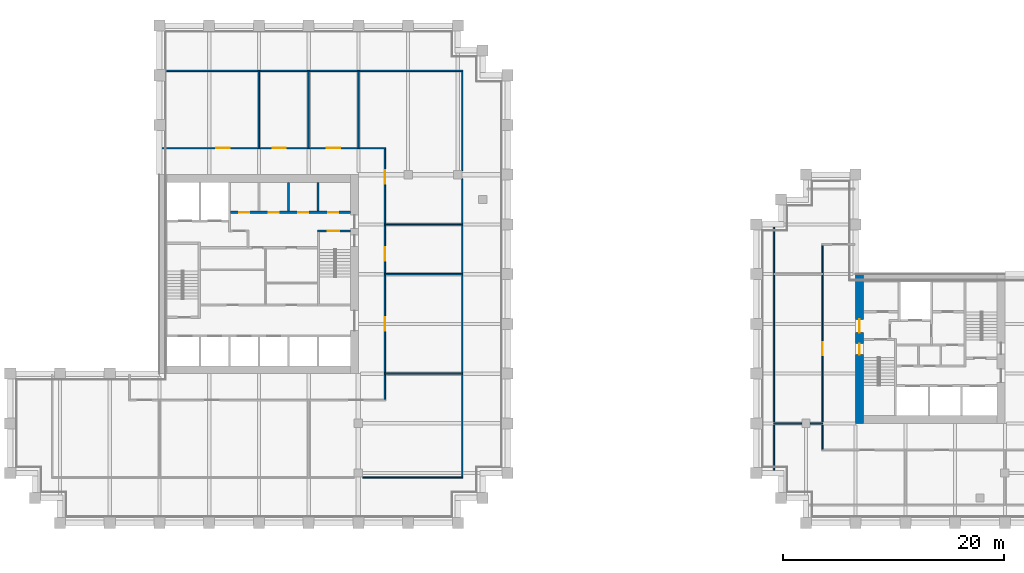
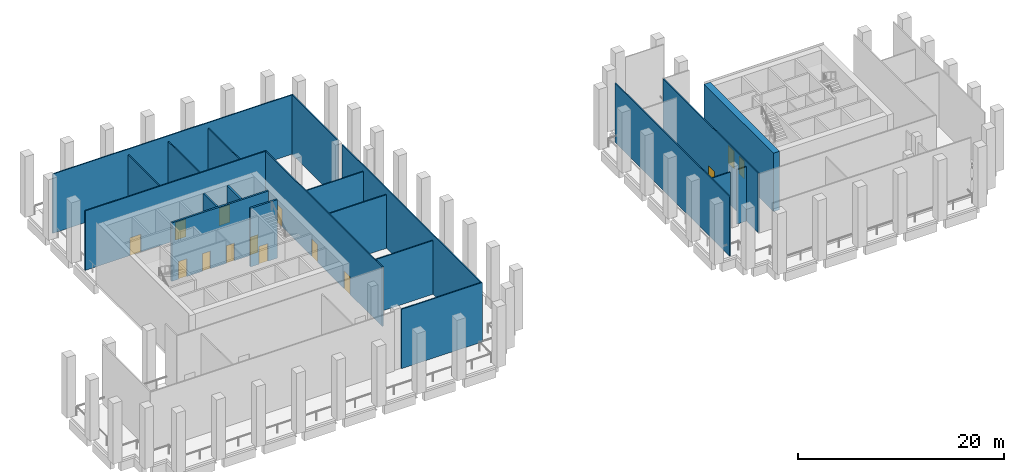
# One storey, part 4 of 9: 21 walls, 14 doors, 14 openings.
"""IFC4 building model written with IfcOpenShell, lengths in metres."""

from ifc_helpers import new_model, si_unit, direction, frame, frame_2d, origin, place, context, subcontext, project, spatial, rectangle, extrude, material, layer, layer_set, type_object, element, fill, save


model = new_model("IFC4")

# Units and contexts
model_context = context("Model", 3, precision=1e-05, world=origin(), true_north=direction((0.0, 1.0)))
body_context = subcontext(model_context, "Body", "Model", "MODEL_VIEW")
ifc_project = project(units=[si_unit("LENGTHUNIT", "METRE"), si_unit("AREAUNIT", "SQUARE_METRE"), si_unit("VOLUMEUNIT", "CUBIC_METRE"), si_unit("PLANEANGLEUNIT", "RADIAN"), si_unit("MASSUNIT", "GRAM", prefix="KILO")], contexts=[model_context])

# Site, building, storey
site_placement = place(None, origin())
site = spatial("IfcSite", under=ifc_project, at=site_placement, CompositionType="ELEMENT")
building_placement = place(site_placement, origin())
building = spatial("IfcBuilding", under=site, at=building_placement, Name="Altepetl Exchange Towers", CompositionType="ELEMENT")
storey_placement = place(building_placement, frame((0.0, 0.0, 113.60009765625)))
storey = spatial("IfcBuildingStorey", under=building, at=storey_placement, Name="L28 Wind floor plant", CompositionType="ELEMENT", Elevation=113.60009765625)

# Wall, openings, doors
ifc_material_1 = material(Name="Concrete C70/85", Category="concrete")
ifc_layer_1 = layer(ifc_material_1, 0.699951171875)
ifc_layer_set_1 = layer_set([ifc_layer_1], Name="Concrete C70/85")
wall_type_1 = type_object("IfcWallType", Name="Core wall 700 reinforced concrete", PredefinedType="SHEAR", material=ifc_layer_set_1)
wall_1_placement = place(storey_placement, frame((103.85009765625, 36.0, 0.0), z_axis=(0.0, 0.0, 1.0), x_axis=(0.0, 1.0, 0.0)))
wall_1 = element("IfcWall", 1, at=wall_1_placement, inside=storey, type_object=wall_type_1, Name="wall:B:L28:K-coreW", PredefinedType="SHEAR", context=body_context, shape_type="SweptSolid", body=[
    extrude(rectangle(XDim=13.5, YDim=0.699951171875, at=frame_2d((6.75, 0.0))), origin(), (0.0, 0.0, 1.0), 6.949951171875),
])
opening_1_placement = place(wall_1_placement, frame((8.199951171875, 0.0, 0.0)))
opening_1 = element("IfcOpeningElement", 2, at=opening_1_placement, cuts=wall_1, Name="Opening L28.B60", PredefinedType="OPENING", context=body_context, shape_type="SweptSolid", body=[
    extrude(rectangle(XDim=1.199951171875, YDim=2.10009765625, at=frame_2d((0.60009765625, 1.050048828125))), frame((0.0, 0.35986328125, 0.0), z_axis=(0.0, -1.0, 0.0), x_axis=(1.0, 0.0, 0.0)), (0.0, 0.0, 1.0), 0.719970703125),
])
opening_2_placement = place(wall_1_placement, frame((6.22509765625, 0.0, 0.0)))
opening_2 = element("IfcOpeningElement", 3, at=opening_2_placement, cuts=wall_1, Name="Opening L28.B63", PredefinedType="OPENING", context=body_context, shape_type="SweptSolid", body=[
    extrude(rectangle(XDim=1.0, YDim=2.10009765625, at=frame_2d((0.5, 1.050048828125))), frame((0.0, 0.35986328125, 0.0), z_axis=(0.0, -1.0, 0.0), x_axis=(1.0, 0.0, 0.0)), (0.0, 0.0, 1.0), 0.719970703125),
])
ifc_material_2 = material(Name="Steel and timber fire door", Category="steel")
door_type_1 = type_object("IfcDoorType", Name="Fire door 1000 x 2100 stair and lobby", OperationType="SINGLE_SWING_LEFT", PredefinedType="DOOR", material=ifc_material_2)
door_1_placement = place(opening_2_placement, frame((1.0, 0.0, 0.0), x_axis=(-1.0, 0.0, 0.0)))
door_1 = element("IfcDoor", 4, at=door_1_placement, inside=storey, type_object=door_type_1, Name="door:B:L28:K-dS1x", OperationType="SINGLE_SWING_RIGHT", OverallHeight=2.10009765625, OverallWidth=1.0, PredefinedType="DOOR", context=body_context, shape_type="SweptSolid", body=[
    extrude(rectangle(XDim=1.0, YDim=2.10009765625, at=frame_2d((0.5, 1.050048828125))), frame((0.0, 0.02490234375, 0.0), z_axis=(0.0, -1.0, 0.0), x_axis=(1.0, 0.0, 0.0)), (0.0, 0.0, 1.0), 0.050048828125),
])
fill(opening_2, door_1)
door_type_2 = type_object("IfcDoorType", Name="Fire door 1200 x 2100 lobby entry", OperationType="SINGLE_SWING_LEFT", PredefinedType="DOOR", material=ifc_material_2)
door_2_placement = place(opening_1_placement, frame((1.199951171875, 0.0, 0.0), x_axis=(-1.0, 0.0, 0.0)))
door_2 = element("IfcDoor", 5, at=door_2_placement, inside=storey, type_object=door_type_2, Name="door:B:L28:K-dLNW", OperationType="SINGLE_SWING_RIGHT", OverallHeight=2.10009765625, OverallWidth=1.199951171875, PredefinedType="DOOR", context=body_context, shape_type="SweptSolid", body=[
    extrude(rectangle(XDim=1.199951171875, YDim=2.10009765625, at=frame_2d((0.60009765625, 1.050048828125))), frame((0.0, 0.02490234375, 0.0), z_axis=(0.0, -1.0, 0.0), x_axis=(1.0, 0.0, 0.0)), (0.0, 0.0, 1.0), 0.050048828125),
])
fill(opening_1, door_2)

# Walls
ifc_material_3 = material(Name="Gypsum board on steel studs", Category="steel")
ifc_layer_2 = layer(ifc_material_3, 0.125)
ifc_layer_set_2 = layer_set([ifc_layer_2], Name="Gypsum board on steel studs")
wall_type_2 = type_object("IfcWallType", Name="Partition 125 gypsum board on steel studs", PredefinedType="PARTITIONING", material=ifc_layer_set_2)
wall_2_placement = place(storey_placement, frame((58.875, 31.10009765625, 0.0)))
element("IfcWall", 6, at=wall_2_placement, inside=storey, type_object=wall_type_2, Name="wall:A:L28:P02", PredefinedType="PARTITIONING", context=body_context, shape_type="SweptSolid", body=[
    extrude(rectangle(XDim=9.08740234375, YDim=0.125, at=frame_2d((4.543701171875, 0.0))), origin(), (0.0, 0.0, 1.0), 7.0498046875),
])
for number, where, name in (
    (7, (60.89990234375, 40.5, 0.0), "wall:A:L28:P04"),
    (8, (60.89990234375, 49.5, 0.0), "wall:A:L28:P05"),
    (9, (60.89990234375, 54.0, 0.0), "wall:A:L28:P06"),
):
    element("IfcWall", number, at=place(storey_placement, frame(where)), inside=storey, type_object=wall_type_2, Name=name, PredefinedType="PARTITIONING", context=body_context, shape_type="SweptSolid", body=[
        extrude(rectangle(XDim=7.0, YDim=0.125, at=frame_2d((3.5, 0.0))), origin(), (0.0, 0.0, 1.0), 6.365966796875),
    ])

# Wall, openings, doors
wall_3_placement = place(storey_placement, frame((40.60009765625, 60.89990234375, 0.0)))
wall_3 = element("IfcWall", 10, at=wall_3_placement, inside=storey, type_object=wall_type_2, Name="wall:A:L28:P07", PredefinedType="PARTITIONING", context=body_context, shape_type="SweptSolid", body=[
    extrude(rectangle(XDim=20.3623046875, YDim=0.125, at=frame_2d((10.18115234375, 0.0))), origin(), (0.0, 0.0, 1.0), 7.0498046875),
])
opening_3_placement = place(wall_3_placement, frame((15.050048828125, 0.0, 0.0)))
opening_3 = element("IfcOpeningElement", 11, at=opening_3_placement, cuts=wall_3, Name="Opening L28.A07", PredefinedType="OPENING", context=body_context, shape_type="SweptSolid", body=[
    extrude(rectangle(XDim=1.199951171875, YDim=2.10009765625, at=frame_2d((0.60009765625, 1.050048828125))), frame((0.0, 0.072509765625, 0.0), z_axis=(0.0, -1.0, 0.0), x_axis=(1.0, 0.0, 0.0)), (0.0, 0.0, 1.0), 0.14501953125),
])
opening_4_placement = place(wall_3_placement, frame((10.1298828125, 0.0, 0.0)))
opening_4 = element("IfcOpeningElement", 12, at=opening_4_placement, cuts=wall_3, Name="Opening L28.A08", PredefinedType="OPENING", context=body_context, shape_type="SweptSolid", body=[
    extrude(rectangle(XDim=1.199951171875, YDim=2.10009765625, at=frame_2d((0.60009765625, 1.050048828125))), frame((0.0, 0.072509765625, 0.0), z_axis=(0.0, -1.0, 0.0), x_axis=(1.0, 0.0, 0.0)), (0.0, 0.0, 1.0), 0.14501953125),
])
opening_5_placement = place(wall_3_placement, frame((5.0400390625, 0.0, 0.0)))
opening_5 = element("IfcOpeningElement", 13, at=opening_5_placement, cuts=wall_3, Name="Opening L28.A09", PredefinedType="OPENING", context=body_context, shape_type="SweptSolid", body=[
    extrude(rectangle(XDim=1.199951171875, YDim=2.10009765625, at=frame_2d((0.60009765625, 1.050048828125))), frame((0.0, 0.072509765625, 0.0), z_axis=(0.0, -1.0, 0.0), x_axis=(1.0, 0.0, 0.0)), (0.0, 0.0, 1.0), 0.14501953125),
])
door_type_3 = type_object("IfcDoorType", Name="Fire door 1200 x 2100 plant and refuge", OperationType="SINGLE_SWING_LEFT", PredefinedType="DOOR", material=ifc_material_2)
door_3_placement = place(opening_3_placement, origin())
door_3 = element("IfcDoor", 14, at=door_3_placement, inside=storey, type_object=door_type_3, Name="door:A:L28:07", OperationType="SINGLE_SWING_RIGHT", OverallHeight=2.10009765625, OverallWidth=1.199951171875, PredefinedType="DOOR", context=body_context, shape_type="SweptSolid", body=[
    extrude(rectangle(XDim=1.199951171875, YDim=2.10009765625, at=frame_2d((0.60009765625, 1.050048828125))), frame((0.0, 0.02490234375, 0.0), z_axis=(0.0, -1.0, 0.0), x_axis=(1.0, 0.0, 0.0)), (0.0, 0.0, 1.0), 0.050048828125),
])
fill(opening_3, door_3)
door_4_placement = place(opening_4_placement, origin())
door_4 = element("IfcDoor", 15, at=door_4_placement, inside=storey, type_object=door_type_3, Name="door:A:L28:08", OperationType="SINGLE_SWING_LEFT", OverallHeight=2.10009765625, OverallWidth=1.199951171875, PredefinedType="DOOR", context=body_context, shape_type="SweptSolid", body=[
    extrude(rectangle(XDim=1.199951171875, YDim=2.10009765625, at=frame_2d((0.60009765625, 1.050048828125))), frame((0.0, 0.02490234375, 0.0), z_axis=(0.0, -1.0, 0.0), x_axis=(1.0, 0.0, 0.0)), (0.0, 0.0, 1.0), 0.050048828125),
])
fill(opening_4, door_4)
door_5_placement = place(opening_5_placement, origin())
door_5 = element("IfcDoor", 16, at=door_5_placement, inside=storey, type_object=door_type_3, Name="door:A:L28:09", OperationType="SINGLE_SWING_RIGHT", OverallHeight=2.10009765625, OverallWidth=1.199951171875, PredefinedType="DOOR", context=body_context, shape_type="SweptSolid", body=[
    extrude(rectangle(XDim=1.199951171875, YDim=2.10009765625, at=frame_2d((0.60009765625, 1.050048828125))), frame((0.0, 0.02490234375, 0.0), z_axis=(0.0, -1.0, 0.0), x_axis=(1.0, 0.0, 0.0)), (0.0, 0.0, 1.0), 0.050048828125),
])
fill(opening_5, door_5)

# Walls
wall_4_placement = place(storey_placement, frame((41.0, 67.89990234375, 0.0)))
element("IfcWall", 17, at=wall_4_placement, inside=storey, type_object=wall_type_2, Name="wall:A:L28:P08", PredefinedType="PARTITIONING", context=body_context, shape_type="SweptSolid", body=[
    extrude(rectangle(XDim=26.96240234375, YDim=0.125, at=frame_2d((13.481201171875, 0.0))), origin(), (0.0, 0.0, 1.0), 7.0498046875),
])
for number, where, z_axis, x_axis, name in (
    (18, (49.5, 60.89990234375, 0.0), (0.0, 0.0, 1.0), (0.0, 1.0, 0.0), "wall:A:L28:P12"),
    (19, (54.0, 60.89990234375, 0.0), (0.0, 0.0, 1.0), (0.0, 1.0, 0.0), "wall:A:L28:P14"),
    (20, (58.5, 60.89990234375, 0.0), (0.0, 0.0, 1.0), (0.0, 1.0, 0.0), "wall:A:L28:P15"),
):
    element("IfcWall", number, at=place(storey_placement, frame(where, z_axis=z_axis, x_axis=x_axis)), inside=storey, type_object=wall_type_2, Name=name, PredefinedType="PARTITIONING", context=body_context, shape_type="SweptSolid", body=[
        extrude(rectangle(XDim=7.0, YDim=0.125, at=frame_2d((3.5, 0.0))), origin(), (0.0, 0.0, 1.0), 6.365966796875),
    ])

# Wall, openings, doors
wall_5_placement = place(storey_placement, frame((60.89990234375, 38.16259765625, 0.0), z_axis=(0.0, 0.0, 1.0), x_axis=(0.0, 1.0, 0.0)))
wall_5 = element("IfcWall", 21, at=wall_5_placement, inside=storey, type_object=wall_type_2, Name="wall:A:L28:P16", PredefinedType="PARTITIONING", context=body_context, shape_type="SweptSolid", body=[
    extrude(rectangle(XDim=22.6748046875, YDim=0.125, at=frame_2d((11.33740234375, 0.0))), origin(), (0.0, 0.0, 1.0), 7.0498046875),
])
opening_6_placement = place(wall_5_placement, frame((6.237548828125, 0.0, 0.0)))
opening_6 = element("IfcOpeningElement", 22, at=opening_6_placement, cuts=wall_5, Name="Opening L28.A04", PredefinedType="OPENING", context=body_context, shape_type="SweptSolid", body=[
    extrude(rectangle(XDim=1.199951171875, YDim=2.10009765625, at=frame_2d((0.60009765625, 1.050048828125))), frame((0.0, 0.072509765625, 0.0), z_axis=(0.0, -1.0, 0.0), x_axis=(1.0, 0.0, 0.0)), (0.0, 0.0, 1.0), 0.14501953125),
])
opening_7_placement = place(wall_5_placement, frame((12.5673828125, 0.0, 0.0)))
opening_7 = element("IfcOpeningElement", 23, at=opening_7_placement, cuts=wall_5, Name="Opening L28.A05", PredefinedType="OPENING", context=body_context, shape_type="SweptSolid", body=[
    extrude(rectangle(XDim=1.199951171875, YDim=2.10009765625, at=frame_2d((0.60009765625, 1.050048828125))), frame((0.0, 0.072509765625, 0.0), z_axis=(0.0, -1.0, 0.0), x_axis=(1.0, 0.0, 0.0)), (0.0, 0.0, 1.0), 0.14501953125),
])
opening_8_placement = place(wall_5_placement, frame((19.527587890625, 0.0, 0.0)))
opening_8 = element("IfcOpeningElement", 24, at=opening_8_placement, cuts=wall_5, Name="Opening L28.A06", PredefinedType="OPENING", context=body_context, shape_type="SweptSolid", body=[
    extrude(rectangle(XDim=1.199951171875, YDim=2.10009765625, at=frame_2d((0.60009765625, 1.050048828125))), frame((0.0, 0.072509765625, 0.0), z_axis=(0.0, -1.0, 0.0), x_axis=(1.0, 0.0, 0.0)), (0.0, 0.0, 1.0), 0.14501953125),
])
door_6_placement = place(opening_6_placement, frame((1.199951171875, 0.0, 0.0), x_axis=(-1.0, 0.0, 0.0)))
door_6 = element("IfcDoor", 25, at=door_6_placement, inside=storey, type_object=door_type_3, Name="door:A:L28:04", OperationType="SINGLE_SWING_LEFT", OverallHeight=2.10009765625, OverallWidth=1.199951171875, PredefinedType="DOOR", context=body_context, shape_type="SweptSolid", body=[
    extrude(rectangle(XDim=1.199951171875, YDim=2.10009765625, at=frame_2d((0.60009765625, 1.050048828125))), frame((0.0, 0.02490234375, 0.0), z_axis=(0.0, -1.0, 0.0), x_axis=(1.0, 0.0, 0.0)), (0.0, 0.0, 1.0), 0.050048828125),
])
fill(opening_6, door_6)
door_7_placement = place(opening_7_placement, frame((1.199951171875, 0.0, 0.0), x_axis=(-1.0, 0.0, 0.0)))
door_7 = element("IfcDoor", 26, at=door_7_placement, inside=storey, type_object=door_type_3, Name="door:A:L28:05", OperationType="SINGLE_SWING_LEFT", OverallHeight=2.10009765625, OverallWidth=1.199951171875, PredefinedType="DOOR", context=body_context, shape_type="SweptSolid", body=[
    extrude(rectangle(XDim=1.199951171875, YDim=2.10009765625, at=frame_2d((0.60009765625, 1.050048828125))), frame((0.0, 0.02490234375, 0.0), z_axis=(0.0, -1.0, 0.0), x_axis=(1.0, 0.0, 0.0)), (0.0, 0.0, 1.0), 0.050048828125),
])
fill(opening_7, door_7)
door_8_placement = place(opening_8_placement, frame((1.199951171875, 0.0, 0.0), x_axis=(-1.0, 0.0, 0.0)))
door_8 = element("IfcDoor", 27, at=door_8_placement, inside=storey, type_object=door_type_3, Name="door:A:L28:06", OperationType="SINGLE_SWING_RIGHT", OverallHeight=2.10009765625, OverallWidth=1.199951171875, PredefinedType="DOOR", context=body_context, shape_type="SweptSolid", body=[
    extrude(rectangle(XDim=1.199951171875, YDim=2.10009765625, at=frame_2d((0.60009765625, 1.050048828125))), frame((0.0, 0.02490234375, 0.0), z_axis=(0.0, -1.0, 0.0), x_axis=(1.0, 0.0, 0.0)), (0.0, 0.0, 1.0), 0.050048828125),
])
fill(opening_8, door_8)

# Walls
wall_6_placement = place(storey_placement, frame((67.89990234375, 31.16259765625, 0.0), z_axis=(0.0, 0.0, 1.0), x_axis=(0.0, 1.0, 0.0)))
element("IfcWall", 28, at=wall_6_placement, inside=storey, type_object=wall_type_2, Name="wall:A:L28:P17", PredefinedType="PARTITIONING", context=body_context, shape_type="SweptSolid", body=[
    extrude(rectangle(XDim=26.96240234375, YDim=0.125, at=frame_2d((13.481201171875, 0.0))), origin(), (0.0, 0.0, 1.0), 7.0498046875),
])
wall_7_placement = place(storey_placement, frame((67.89990234375, 58.875, 0.0), z_axis=(0.0, 0.0, 1.0), x_axis=(0.0, 1.0, 0.0)))
element("IfcWall", 29, at=wall_7_placement, inside=storey, type_object=wall_type_2, Name="wall:A:L28:P18", PredefinedType="PARTITIONING", context=body_context, shape_type="SweptSolid", body=[
    extrude(rectangle(XDim=8.96240234375, YDim=0.125, at=frame_2d((4.481201171875, 0.0))), origin(), (0.0, 0.0, 1.0), 7.0498046875),
])
wall_8_placement = place(storey_placement, frame((96.10009765625, 36.0, 0.0)))
element("IfcWall", 30, at=wall_8_placement, inside=storey, type_object=wall_type_2, Name="wall:B:L28:P03", PredefinedType="PARTITIONING", context=body_context, shape_type="SweptSolid", body=[
    extrude(rectangle(XDim=2.52490234375, YDim=0.125, at=frame_2d((1.262451171875, 0.0))), origin(), (0.0, 0.0, 1.0), 6.44189453125),
])
wall_9_placement = place(storey_placement, frame((99.375, 36.0, 0.0)))
element("IfcWall", 31, at=wall_9_placement, inside=storey, type_object=wall_type_2, Name="wall:B:L28:P04", PredefinedType="PARTITIONING", context=body_context, shape_type="SweptSolid", body=[
    extrude(rectangle(XDim=1.125, YDim=0.125, at=frame_2d((0.5625, 0.0))), origin(), (0.0, 0.0, 1.0), 6.44189453125),
])
wall_10_placement = place(storey_placement, frame((96.10009765625, 31.60009765625, 0.0), z_axis=(0.0, 0.0, 1.0), x_axis=(0.0, 1.0, 0.0)))
element("IfcWall", 32, at=wall_10_placement, inside=storey, type_object=wall_type_2, Name="wall:B:L28:P10", PredefinedType="PARTITIONING", context=body_context, shape_type="SweptSolid", body=[
    extrude(rectangle(XDim=22.2998046875, YDim=0.125, at=frame_2d((11.14990234375, 0.0))), origin(), (0.0, 0.0, 1.0), 7.0498046875),
])

# Wall, opening, door
wall_11_placement = place(storey_placement, frame((100.5, 33.66259765625, 0.0), z_axis=(0.0, 0.0, 1.0), x_axis=(0.0, 1.0, 0.0)))
wall_11 = element("IfcWall", 33, at=wall_11_placement, inside=storey, type_object=wall_type_2, Name="wall:B:L28:P11", PredefinedType="PARTITIONING", context=body_context, shape_type="SweptSolid", body=[
    extrude(rectangle(XDim=18.474853515625, YDim=0.125, at=frame_2d((9.2373046875, 0.0))), origin(), (0.0, 0.0, 1.0), 7.0498046875),
])
opening_9_placement = place(wall_11_placement, frame((8.487548828125, 0.0, 0.0)))
opening_9 = element("IfcOpeningElement", 34, at=opening_9_placement, cuts=wall_11, Name="Opening L28.B07", PredefinedType="OPENING", context=body_context, shape_type="SweptSolid", body=[
    extrude(rectangle(XDim=1.199951171875, YDim=2.10009765625, at=frame_2d((0.60009765625, 1.050048828125))), frame((0.0, 0.072509765625, 0.0), z_axis=(0.0, -1.0, 0.0), x_axis=(1.0, 0.0, 0.0)), (0.0, 0.0, 1.0), 0.14501953125),
])
door_9_placement = place(opening_9_placement, origin())
door_9 = element("IfcDoor", 35, at=door_9_placement, inside=storey, type_object=door_type_3, Name="door:B:L28:07", OperationType="SINGLE_SWING_RIGHT", OverallHeight=2.10009765625, OverallWidth=1.199951171875, PredefinedType="DOOR", context=body_context, shape_type="SweptSolid", body=[
    extrude(rectangle(XDim=1.199951171875, YDim=2.10009765625, at=frame_2d((0.60009765625, 1.050048828125))), frame((0.0, 0.02490234375, 0.0), z_axis=(0.0, -1.0, 0.0), x_axis=(1.0, 0.0, 0.0)), (0.0, 0.0, 1.0), 0.050048828125),
])
fill(opening_9, door_9)

# Walls
ifc_material_4 = material(Name="Concrete C40/50", Category="concrete")
ifc_layer_3 = layer(ifc_material_4, 0.199951171875)
ifc_layer_set_3 = layer_set([ifc_layer_3], Name="Concrete C40/50")
wall_type_3 = type_object("IfcWallType", Name="Shaft wall 200 reinforced concrete", PredefinedType="SHEAR", material=ifc_layer_set_3)
for number, where, z_axis, x_axis, name in (
    (36, (52.166748046875, 57.800048828125, 0.0), (0.0, 0.0, 1.0), (0.0, -1.0, 0.0), "wall:A:L28:K-divN4"),
    (37, (54.833251953125, 57.800048828125, 0.0), (0.0, 0.0, 1.0), (0.0, -1.0, 0.0), "wall:A:L28:K-divN5"),
):
    element("IfcWall", number, at=place(storey_placement, frame(where, z_axis=z_axis, x_axis=x_axis)), inside=storey, type_object=wall_type_3, Name=name, PredefinedType="SHEAR", context=body_context, shape_type="SweptSolid", body=[
        extrude(rectangle(XDim=2.60009765625, YDim=0.199951171875, at=frame_2d((1.300048828125, 0.0))), origin(), (0.0, 0.0, 1.0), 6.949951171875),
    ])

# Wall, openings, doors
wall_12_placement = place(storey_placement, frame((46.933349609375, 55.10009765625, 0.0)))
wall_12 = element("IfcWall", 38, at=wall_12_placement, inside=storey, type_object=wall_type_3, Name="wall:A:L28:K-frontNb", PredefinedType="SHEAR", context=body_context, shape_type="SweptSolid", body=[
    extrude(rectangle(XDim=10.86669921875, YDim=0.199951171875, at=frame_2d((5.433349609375, 0.0))), origin(), (0.0, 0.0, 1.0), 6.949951171875),
])
opening_10_placement = place(wall_12_placement, frame((8.83349609375, 0.0, 0.0)))
opening_10 = element("IfcOpeningElement", 39, at=opening_10_placement, cuts=wall_12, Name="Opening L28.A66", PredefinedType="OPENING", context=body_context, shape_type="SweptSolid", body=[
    extrude(rectangle(XDim=0.89990234375, YDim=2.10009765625, at=frame_2d((0.449951171875, 1.050048828125))), frame((0.0, 0.10986328125, 0.0), z_axis=(0.0, -1.0, 0.0), x_axis=(1.0, 0.0, 0.0)), (0.0, 0.0, 1.0), 0.219970703125),
])
opening_11_placement = place(wall_12_placement, frame((0.783447265625, 0.0, 0.0)))
opening_11 = element("IfcOpeningElement", 40, at=opening_11_placement, cuts=wall_12, Name="Opening L28.A67", PredefinedType="OPENING", context=body_context, shape_type="SweptSolid", body=[
    extrude(rectangle(XDim=0.89990234375, YDim=2.10009765625, at=frame_2d((0.449951171875, 1.050048828125))), frame((0.0, 0.10986328125, 0.0), z_axis=(0.0, -1.0, 0.0), x_axis=(1.0, 0.0, 0.0)), (0.0, 0.0, 1.0), 0.219970703125),
])
opening_12_placement = place(wall_12_placement, frame((3.449951171875, 0.0, 0.0)))
opening_12 = element("IfcOpeningElement", 41, at=opening_12_placement, cuts=wall_12, Name="Opening L28.A68", PredefinedType="OPENING", context=body_context, shape_type="SweptSolid", body=[
    extrude(rectangle(XDim=0.89990234375, YDim=2.10009765625, at=frame_2d((0.449951171875, 1.050048828125))), frame((0.0, 0.10986328125, 0.0), z_axis=(0.0, -1.0, 0.0), x_axis=(1.0, 0.0, 0.0)), (0.0, 0.0, 1.0), 0.219970703125),
])
opening_13_placement = place(wall_12_placement, frame((6.11669921875, 0.0, 0.0)))
opening_13 = element("IfcOpeningElement", 42, at=opening_13_placement, cuts=wall_12, Name="Opening L28.A69", PredefinedType="OPENING", context=body_context, shape_type="SweptSolid", body=[
    extrude(rectangle(XDim=0.89990234375, YDim=2.10009765625, at=frame_2d((0.449951171875, 1.050048828125))), frame((0.0, 0.10986328125, 0.0), z_axis=(0.0, -1.0, 0.0), x_axis=(1.0, 0.0, 0.0)), (0.0, 0.0, 1.0), 0.219970703125),
])
door_type_4 = type_object("IfcDoorType", Name="Fire door 900 x 2100 service room", OperationType="SINGLE_SWING_LEFT", PredefinedType="DOOR", material=ifc_material_2)
door_10_placement = place(opening_10_placement, origin())
door_10 = element("IfcDoor", 43, at=door_10_placement, inside=storey, type_object=door_type_4, Name="door:A:L28:K-driser", OperationType="SINGLE_SWING_RIGHT", OverallHeight=2.10009765625, OverallWidth=0.89990234375, PredefinedType="DOOR", context=body_context, shape_type="SweptSolid", body=[
    extrude(rectangle(XDim=0.89990234375, YDim=2.10009765625, at=frame_2d((0.449951171875, 1.050048828125))), frame((0.0, 0.02490234375, 0.0), z_axis=(0.0, -1.0, 0.0), x_axis=(1.0, 0.0, 0.0)), (0.0, 0.0, 1.0), 0.050048828125),
])
fill(opening_10, door_10)
door_11_placement = place(opening_11_placement, origin())
door_11 = element("IfcDoor", 44, at=door_11_placement, inside=storey, type_object=door_type_4, Name="door:A:L28:K-dslotN2", OperationType="SINGLE_SWING_RIGHT", OverallHeight=2.10009765625, OverallWidth=0.89990234375, PredefinedType="DOOR", context=body_context, shape_type="SweptSolid", body=[
    extrude(rectangle(XDim=0.89990234375, YDim=2.10009765625, at=frame_2d((0.449951171875, 1.050048828125))), frame((0.0, 0.02490234375, 0.0), z_axis=(0.0, -1.0, 0.0), x_axis=(1.0, 0.0, 0.0)), (0.0, 0.0, 1.0), 0.050048828125),
])
fill(opening_11, door_11)
door_12_placement = place(opening_12_placement, origin())
door_12 = element("IfcDoor", 45, at=door_12_placement, inside=storey, type_object=door_type_4, Name="door:A:L28:K-dslotN3", OperationType="SINGLE_SWING_RIGHT", OverallHeight=2.10009765625, OverallWidth=0.89990234375, PredefinedType="DOOR", context=body_context, shape_type="SweptSolid", body=[
    extrude(rectangle(XDim=0.89990234375, YDim=2.10009765625, at=frame_2d((0.449951171875, 1.050048828125))), frame((0.0, 0.02490234375, 0.0), z_axis=(0.0, -1.0, 0.0), x_axis=(1.0, 0.0, 0.0)), (0.0, 0.0, 1.0), 0.050048828125),
])
fill(opening_12, door_12)
door_13_placement = place(opening_13_placement, origin())
door_13 = element("IfcDoor", 46, at=door_13_placement, inside=storey, type_object=door_type_4, Name="door:A:L28:K-dslotN4", OperationType="SINGLE_SWING_RIGHT", OverallHeight=2.10009765625, OverallWidth=0.89990234375, PredefinedType="DOOR", context=body_context, shape_type="SweptSolid", body=[
    extrude(rectangle(XDim=0.89990234375, YDim=2.10009765625, at=frame_2d((0.449951171875, 1.050048828125))), frame((0.0, 0.02490234375, 0.0), z_axis=(0.0, -1.0, 0.0), x_axis=(1.0, 0.0, 0.0)), (0.0, 0.0, 1.0), 0.050048828125),
])
fill(opening_13, door_13)

# Wall, opening, door
ifc_layer_4 = layer(ifc_material_4, 0.199951171875)
ifc_layer_set_4 = layer_set([ifc_layer_4], Name="Concrete C40/50")
wall_type_4 = type_object("IfcWallType", Name="Stair wall 200 reinforced concrete", PredefinedType="SHEAR", material=ifc_layer_set_4)
wall_13_placement = place(storey_placement, frame((54.800048828125, 53.39990234375, 0.0)))
wall_13 = element("IfcWall", 47, at=wall_13_placement, inside=storey, type_object=wall_type_4, Name="wall:A:L28:K-stS2N", PredefinedType="SHEAR", context=body_context, shape_type="SweptSolid", body=[
    extrude(rectangle(XDim=3.0, YDim=0.199951171875, at=frame_2d((1.5, 0.0))), origin(), (0.0, 0.0, 1.0), 6.949951171875),
])
opening_14_placement = place(wall_13_placement, frame((0.949951171875, 0.0, 0.0)))
opening_14 = element("IfcOpeningElement", 48, at=opening_14_placement, cuts=wall_13, Name="Opening L28.A63", PredefinedType="OPENING", context=body_context, shape_type="SweptSolid", body=[
    extrude(rectangle(XDim=1.0, YDim=2.10009765625, at=frame_2d((0.5, 1.050048828125))), frame((0.0, 0.10986328125, 0.0), z_axis=(0.0, -1.0, 0.0), x_axis=(1.0, 0.0, 0.0)), (0.0, 0.0, 1.0), 0.219970703125),
])
door_14_placement = place(opening_14_placement, frame((1.0, 0.0, 0.0), x_axis=(-1.0, 0.0, 0.0)))
door_14 = element("IfcDoor", 49, at=door_14_placement, inside=storey, type_object=door_type_1, Name="door:A:L28:K-dS2in", OperationType="SINGLE_SWING_LEFT", OverallHeight=2.10009765625, OverallWidth=1.0, PredefinedType="DOOR", context=body_context, shape_type="SweptSolid", body=[
    extrude(rectangle(XDim=1.0, YDim=2.10009765625, at=frame_2d((0.5, 1.050048828125))), frame((0.0, 0.02490234375, 0.0), z_axis=(0.0, -1.0, 0.0), x_axis=(1.0, 0.0, 0.0)), (0.0, 0.0, 1.0), 0.050048828125),
])
fill(opening_14, door_14)

save(model, "model.ifc")
